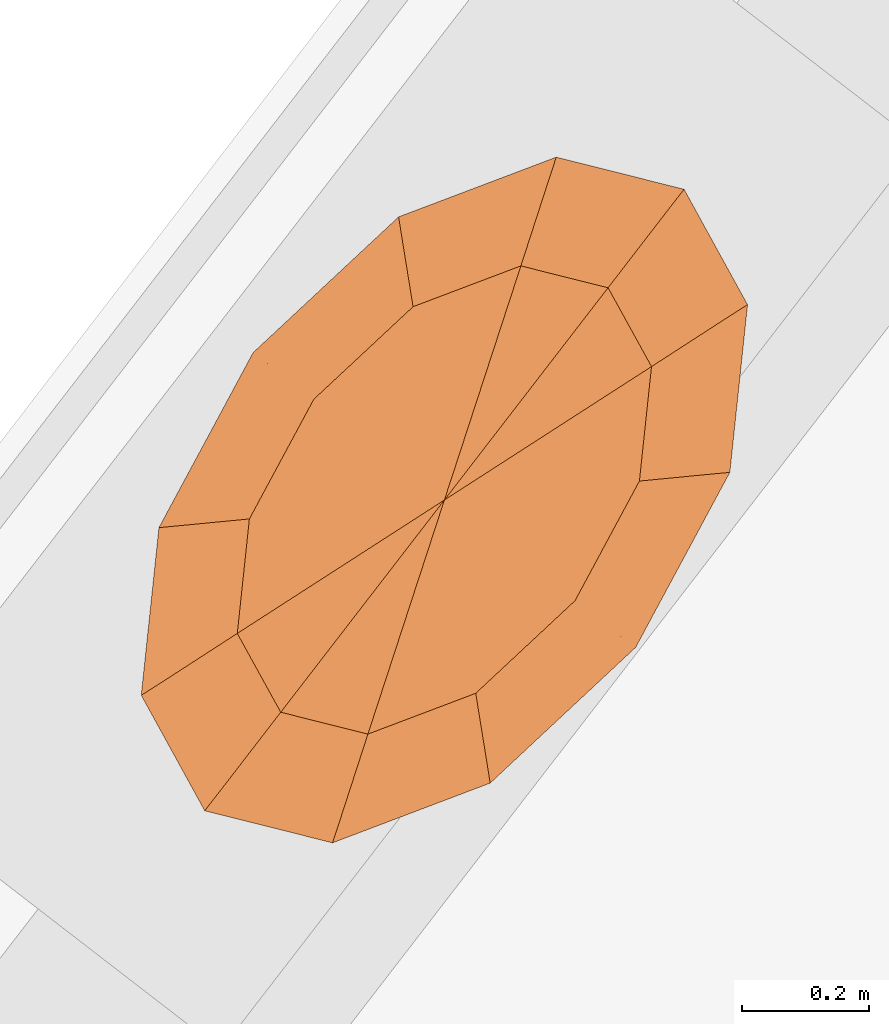
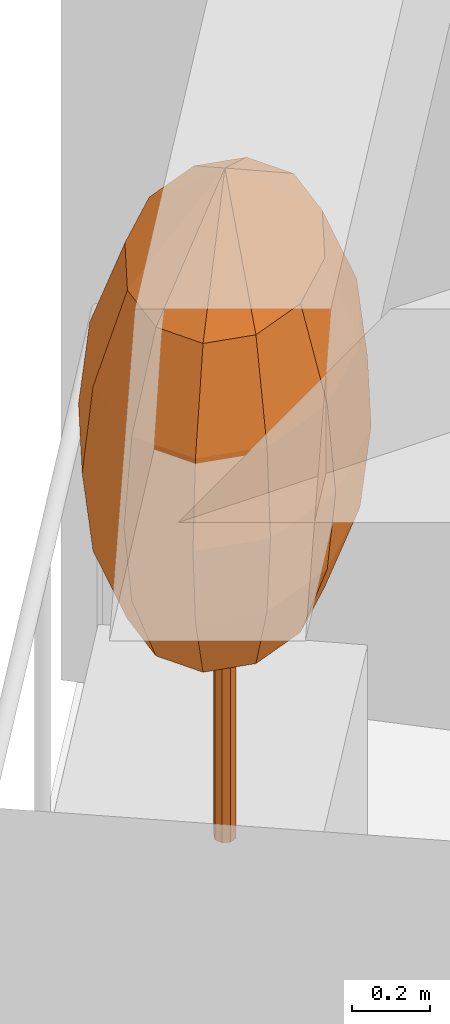
# One storey, part 13 of 13: 1 geographic element.
"""IFC4 building model written with IfcOpenShell, lengths in metres."""

import ifcopenshell
import ifcopenshell.guid

model = None  # the IFC model being written
_history = None  # IfcOwnerHistory: only IFC2X3 demands one
_inside = {}  # id of a spatial element -> (the spatial element, [elements in it])
_under = {}  # id of a project, library or spatial element -> (it, [spatial elements below it])
_declared = {}  # id of a project -> (the project, [libraries it declares])
_typed = {}  # id of a type object -> (the type object, [elements of that type])
_made_of = {}  # id of a material, layer set ... -> (it, [elements and type objects made of it])


def new_model(schema):
    """Start an empty IFC model of exactly this schema.

    Asked for "IFC4X3", IfcOpenShell would pick the latest addendum, in which some entities
    have other attributes; the version numbers below select the first issue.
    IFC2X3 requires an IfcOwnerHistory on every rooted entity: one is made here for all.
    """
    global model, _history
    if schema == "IFC4X3":
        model = ifcopenshell.file(schema_version=(4, 3, 0, 0))
    else:
        model = ifcopenshell.file(schema=schema)
    _inside.clear()
    _under.clear()
    _declared.clear()
    _typed.clear()
    _made_of.clear()
    _history = None
    if model.schema == "IFC2X3":
        org = make("IfcOrganization", Name="unknown")
        user = make(
            "IfcPersonAndOrganization",
            ThePerson=make("IfcPerson", FamilyName="unknown"),
            TheOrganization=org,
        )
        app = make(
            "IfcApplication",
            ApplicationDeveloper=org,
            Version="unknown",
            ApplicationFullName="unknown",
            ApplicationIdentifier="unknown",
        )
        _history = make(
            "IfcOwnerHistory",
            OwningUser=user,
            OwningApplication=app,
            ChangeAction="ADDED",
            CreationDate=0,
        )
    return model


def make(cls, **values):
    """One entity of the class cls with the attributes given. An attribute that is None is left unset."""
    return model.create_entity(
        cls, **{name: value for name, value in values.items() if value is not None}
    )


def rooted(cls, **values):
    """An entity with a GlobalId (a new one), such as an element, a storey or a relation."""
    return make(cls, GlobalId=ifcopenshell.guid.new(), OwnerHistory=_history, **values)


def si_unit(unit_type, name, prefix=None):
    """IfcSIUnit, for example si_unit("LENGTHUNIT", "METRE", prefix="MILLI")."""
    return make("IfcSIUnit", UnitType=unit_type, Prefix=prefix, Name=name)


def assignment(units):
    """IfcUnitAssignment: the units of a project."""
    return None if units is None else make("IfcUnitAssignment", Units=units)


def point(xyz):
    """IfcCartesianPoint."""
    return None if xyz is None else make("IfcCartesianPoint", Coordinates=xyz)


def direction(xyz):
    """IfcDirection."""
    return None if xyz is None else make("IfcDirection", DirectionRatios=xyz)


def frame(location, z_axis=None, x_axis=None):
    """IfcAxis2Placement3D, a coordinate frame: its origin and axes. An axis left out is left unset."""
    return make(
        "IfcAxis2Placement3D",
        Location=point(location),
        Axis=direction(z_axis),
        RefDirection=direction(x_axis),
    )


def origin():
    """The frame at (0, 0, 0) with its axes left unset."""
    return frame((0.0, 0.0, 0.0))


def place(relative_to, where):
    """IfcLocalPlacement: puts the frame where relative to a parent placement (None: the world)."""
    return make(
        "IfcLocalPlacement", PlacementRelTo=relative_to, RelativePlacement=where
    )


def context(
    kind, dimensions, precision=None, world=None, true_north=None, identifier=None
):
    """IfcGeometricRepresentationContext, for example the 3D "Model" context."""
    return make(
        "IfcGeometricRepresentationContext",
        ContextIdentifier=identifier,
        ContextType=kind,
        CoordinateSpaceDimension=dimensions,
        Precision=precision,
        WorldCoordinateSystem=world,
        TrueNorth=true_north,
    )


def subcontext(parent, identifier, kind, view, scale=None):
    """IfcGeometricRepresentationSubContext, for example "Body" below "Model"."""
    return make(
        "IfcGeometricRepresentationSubContext",
        ContextIdentifier=identifier,
        ContextType=kind,
        ParentContext=parent,
        TargetScale=scale,
        TargetView=view,
    )


def project(units=None, contexts=None):
    """IfcProject with its units and contexts."""
    return rooted(
        "IfcProject",
        Name="project",
        RepresentationContexts=contexts,
        UnitsInContext=assignment(units),
    )


def spatial(cls, under=None, at=None, **own):
    """A site, building, storey or space (cls), placed at a placement, below another one or the project."""
    s = rooted(cls, ObjectPlacement=at, **own)
    if under is not None:
        _under.setdefault(under.id(), (under, []))[1].append(s)
    return s


def faces_of(points, faces, orient=None, outer=None):
    """IfcFace entities. A face is a list of loops; a loop is a list of indices into points, from 0.

    orient and outer hold one flag for each loop. By default every Orientation is true, the
    first loop of a face is its IfcFaceOuterBound and the others are IfcFaceBound.
    """
    made = []
    for i, loops in enumerate(faces):
        bounds = []
        for j, loop in enumerate(loops):
            is_outer = j == 0 if outer is None else outer[i][j]
            bounds.append(
                make(
                    "IfcFaceOuterBound" if is_outer else "IfcFaceBound",
                    Bound=make("IfcPolyLoop", Polygon=[points[k] for k in loop]),
                    Orientation=True if orient is None else orient[i][j],
                )
            )
        made.append(make("IfcFace", Bounds=bounds))
    return made


def faceted_brep(points, faces, orient=None, outer=None, voids=None):
    """IfcFacetedBrep: a solid bounded by flat faces; with voids (closed shells), ...WithVoids."""
    shared = [point(p) for p in points]
    hull = make("IfcClosedShell", CfsFaces=faces_of(shared, faces, orient, outer))
    if voids is None:
        return make("IfcFacetedBrep", Outer=hull)
    return make(
        "IfcFacetedBrepWithVoids",
        Outer=hull,
        Voids=[
            make(cls, CfsFaces=faces_of(shared, fs, o, b)) for cls, fs, o, b in voids
        ],
    )


def shape(context_of_items, identifier, shape_type, items):
    """IfcShapeRepresentation: the items that make up one representation, for example the "Body"."""
    return make(
        "IfcShapeRepresentation",
        ContextOfItems=context_of_items,
        RepresentationIdentifier=identifier,
        RepresentationType=shape_type,
        Items=items,
    )


def material(Name=None, Category=None):
    """IfcMaterial."""
    return make("IfcMaterial", Name=Name, Category=Category)


def constituent(of_material, Name=None, Category=None, fraction=None):
    """IfcMaterialConstituent: one of the materials an element consists of."""
    return make(
        "IfcMaterialConstituent",
        Name=Name,
        Material=of_material,
        Fraction=fraction,
        Category=Category,
    )


def constituent_set(constituents=None, Name=None):
    """IfcMaterialConstituentSet."""
    return make(
        "IfcMaterialConstituentSet", Name=Name, MaterialConstituents=constituents
    )


def made_of(thing, what):
    """Note that an element or type object is made of a material, layer set ...; save() writes the relation."""
    if what is not None:
        _made_of.setdefault(what.id(), (what, []))[1].append(thing)
    return thing


def type_object(cls, material=None, **own):
    """A type object (cls), such as IfcWallType, which elements share."""
    return made_of(rooted(cls, **own), material)


def element(
    cls,
    number,
    at=None,
    inside=None,
    cuts=None,
    type_object=None,
    material=None,
    context=None,
    identifier="Body",
    shape_type=None,
    held_by="IfcProductDefinitionShape",
    body=None,
    shapes=None,
    **own,
):
    """One element of the class cls, such as IfcWall. Its Tag is "e" and its number.

    at: its placement. inside: the storey or other place that contains it. cuts: it is an
    opening in that element (IfcRelVoidsElement). A single representation is given by context,
    identifier, shape_type and body (its items); several are given by shapes. held_by: the class
    of the entity that holds the representations. save() writes the other relations.
    """
    e = rooted(cls, Tag="e%d" % number, ObjectPlacement=at, **own)
    if body is not None:
        shapes = [shape(context, identifier, shape_type, body)]
    if shapes is not None:
        e.Representation = make(held_by, Representations=shapes)
    if inside is not None:
        _inside.setdefault(inside.id(), (inside, []))[1].append(e)
    if cuts is not None:
        rooted(
            "IfcRelVoidsElement", RelatingBuildingElement=cuts, RelatedOpeningElement=e
        )
    if type_object is not None:
        _typed.setdefault(type_object.id(), (type_object, []))[1].append(e)
    return made_of(e, material)


def aggregate(whole, parts):
    """IfcRelAggregates: a whole, such as a stair, and the parts it consists of."""
    return rooted("IfcRelAggregates", RelatingObject=whole, RelatedObjects=parts)


def save(model, path):
    """Write the relations noted so far, then the file.

    IfcRelAggregates (storeys below a building ...), IfcRelContainedInSpatialStructure (elements
    in a storey), IfcRelDefinesByType, IfcRelAssociatesMaterial and IfcRelDeclares: one each for
    every whole, place, type object, material and project.
    """
    for whole, parts in _under.values():
        aggregate(whole, parts)
    for where, things in _inside.values():
        rooted(
            "IfcRelContainedInSpatialStructure",
            RelatedElements=things,
            RelatingStructure=where,
        )
    for kind, things in _typed.values():
        rooted("IfcRelDefinesByType", RelatedObjects=things, RelatingType=kind)
    for what, things in _made_of.values():
        rooted("IfcRelAssociatesMaterial", RelatedObjects=things, RelatingMaterial=what)
    for by, libraries in _declared.values():
        rooted("IfcRelDeclares", RelatingContext=by, RelatedDefinitions=libraries)
    model.write(path)


model = new_model("IFC4")

# Units and contexts
model_context = context("Model", 3, precision=1e-05, world=origin(), true_north=direction((0.0, 1.0)))
body_context = subcontext(model_context, "Body", "Model", "MODEL_VIEW")
ifc_project = project(units=[si_unit("LENGTHUNIT", "METRE"), si_unit("AREAUNIT", "SQUARE_METRE"), si_unit("VOLUMEUNIT", "CUBIC_METRE"), si_unit("PLANEANGLEUNIT", "RADIAN"), si_unit("MASSUNIT", "GRAM", prefix="KILO")], contexts=[model_context])

# Site, building, storey
site_placement = place(None, origin())
site = spatial("IfcSite", under=ifc_project, at=site_placement, CompositionType="ELEMENT")
building_placement = place(site_placement, origin())
building = spatial("IfcBuilding", under=site, at=building_placement, Name="Taillehof Tower", CompositionType="ELEMENT")
storey_placement = place(building_placement, frame((0.0, 0.0, 115.300048828125)))
storey = spatial("IfcBuildingStorey", under=building, at=storey_placement, Name="L32", CompositionType="ELEMENT", Elevation=115.300048828125)

# Geographic element
ifc_material_1 = material(Name="Tree bark", Category="timber")
ifc_constituent_1 = constituent(ifc_material_1, Name="Trunk", Category="timber")
ifc_material_2 = material(Name="Tree foliage")
ifc_constituent_2 = constituent(ifc_material_2, Name="Crown")
ifc_constituent_set = constituent_set(constituents=[ifc_constituent_1, ifc_constituent_2], Name="Tree TR1 Columnar hornbeam")
geographic_element_type = type_object("IfcGeographicElementType", Name="Tree TR1 Columnar hornbeam", PredefinedType="USERDEFINED", material=ifc_constituent_set)
geographic_element_placement = place(storey_placement, frame((-20.56689453125, 12.99609375, 0.75)))
element("IfcGeographicElement", 1, at=geographic_element_placement, inside=storey, type_object=geographic_element_type, Name="Tree TR1 Columnar hornbeam", ObjectType="TREE", PredefinedType="USERDEFINED", context=body_context, shape_type="Brep", body=[
    faceted_brep([(0.030029296875, 0.0, 0.0), (0.021240234375, 0.021240234375, 0.0), (0.021240234375, 0.021240234375, 1.092529296875), (0.030029296875, 0.0, 1.092529296875), (0.0, 0.030029296875, 0.0), (0.0, 0.030029296875, 1.092529296875), (-0.021240234375, 0.021240234375, 0.0), (-0.021240234375, 0.021240234375, 1.092529296875), (-0.030029296875, 0.0, 0.0), (-0.030029296875, 0.0, 1.092529296875), (-0.021240234375, -0.021240234375, 0.0), (-0.021240234375, -0.021240234375, 1.092529296875), (0.0, -0.030029296875, 0.0), (0.0, -0.030029296875, 1.092529296875), (0.021240234375, -0.021240234375, 0.0), (0.021240234375, -0.021240234375, 1.092529296875)], [[[0, 1, 2, 3]], [[1, 4, 5, 2]], [[4, 6, 7, 5]], [[6, 8, 9, 7]], [[8, 10, 11, 9]], [[10, 12, 13, 11]], [[12, 14, 15, 13]], [[14, 0, 3, 15]], [[14, 12, 10, 8, 6, 4, 1, 0]], [[3, 2, 5, 7, 9, 11, 13, 15]]]),
    faceted_brep([(0.0, 0.0, 0.550048828125), (-0.120361328125, -0.368408203125, 0.808349609375), (-0.257568359375, -0.333984375, 0.808349609375), (0.04931640625, -0.30419921875, 0.808349609375), (0.20556640625, -0.158447265625, 0.808349609375), (0.306884765625, 0.02978515625, 0.808349609375), (0.325927734375, 0.2099609375, 0.808349609375), (0.257568359375, 0.333984375, 0.808349609375), (0.120361328125, 0.368408203125, 0.808349609375), (-0.04931640625, 0.30419921875, 0.808349609375), (-0.20556640625, 0.158447265625, 0.808349609375), (-0.306884765625, -0.02978515625, 0.808349609375), (-0.325927734375, -0.2099609375, 0.808349609375), (-0.16259765625, -0.49853515625, 1.066650390625), (-0.348388671875, -0.451904296875, 1.066650390625), (0.066650390625, -0.41162109375, 1.066650390625), (0.278076171875, -0.21435546875, 1.066650390625), (0.4150390625, 0.040283203125, 1.066650390625), (0.440673828125, 0.2841796875, 1.066650390625), (0.348388671875, 0.451904296875, 1.066650390625), (0.16259765625, 0.49853515625, 1.066650390625), (-0.066650390625, 0.41162109375, 1.066650390625), (-0.278076171875, 0.21435546875, 1.066650390625), (-0.4150390625, -0.040283203125, 1.066650390625), (-0.440673828125, -0.2841796875, 1.066650390625), (-0.176025390625, -0.53955078125, 1.324951171875), (-0.377197265625, -0.489013671875, 1.324951171875), (0.072021484375, -0.445556640625, 1.324951171875), (0.301025390625, -0.23193359375, 1.324951171875), (0.44921875, 0.04345703125, 1.324951171875), (0.47705078125, 0.307373046875, 1.324951171875), (0.377197265625, 0.489013671875, 1.324951171875), (0.176025390625, 0.53955078125, 1.324951171875), (-0.072021484375, 0.445556640625, 1.324951171875), (-0.301025390625, 0.23193359375, 1.324951171875), (-0.44921875, -0.04345703125, 1.324951171875), (-0.47705078125, -0.307373046875, 1.324951171875), (-0.16259765625, -0.49853515625, 1.583251953125), (-0.348388671875, -0.451904296875, 1.583251953125), (0.066650390625, -0.41162109375, 1.583251953125), (0.278076171875, -0.21435546875, 1.583251953125), (0.4150390625, 0.040283203125, 1.583251953125), (0.440673828125, 0.2841796875, 1.583251953125), (0.348388671875, 0.451904296875, 1.583251953125), (0.16259765625, 0.49853515625, 1.583251953125), (-0.066650390625, 0.41162109375, 1.583251953125), (-0.278076171875, 0.21435546875, 1.583251953125), (-0.4150390625, -0.040283203125, 1.583251953125), (-0.440673828125, -0.2841796875, 1.583251953125), (-0.120361328125, -0.368408203125, 1.841552734375), (-0.257568359375, -0.333984375, 1.841552734375), (0.04931640625, -0.30419921875, 1.841552734375), (0.20556640625, -0.158447265625, 1.841552734375), (0.306884765625, 0.02978515625, 1.841552734375), (0.325927734375, 0.2099609375, 1.841552734375), (0.257568359375, 0.333984375, 1.841552734375), (0.120361328125, 0.368408203125, 1.841552734375), (-0.04931640625, 0.30419921875, 1.841552734375), (-0.20556640625, 0.158447265625, 1.841552734375), (-0.306884765625, -0.02978515625, 1.841552734375), (-0.325927734375, -0.2099609375, 1.841552734375), (0.0, 0.0, 2.10009765625)], [[[0, 1, 2]], [[0, 3, 1]], [[0, 4, 3]], [[0, 5, 4]], [[0, 6, 5]], [[0, 7, 6]], [[0, 8, 7]], [[0, 9, 8]], [[0, 10, 9]], [[0, 11, 10]], [[0, 12, 11]], [[0, 2, 12]], [[2, 1, 13, 14]], [[1, 3, 15, 13]], [[3, 4, 16, 15]], [[4, 5, 17, 16]], [[5, 6, 18, 17]], [[6, 7, 19, 18]], [[7, 8, 20, 19]], [[8, 9, 21, 20]], [[9, 10, 22, 21]], [[10, 11, 23, 22]], [[11, 12, 24, 23]], [[12, 2, 14, 24]], [[14, 13, 25, 26]], [[13, 15, 27, 25]], [[15, 16, 28, 27]], [[16, 17, 29, 28]], [[17, 18, 30, 29]], [[18, 19, 31, 30]], [[19, 20, 32, 31]], [[20, 21, 33, 32]], [[21, 22, 34, 33]], [[22, 23, 35, 34]], [[23, 24, 36, 35]], [[24, 14, 26, 36]], [[26, 25, 37, 38]], [[25, 27, 39, 37]], [[27, 28, 40, 39]], [[28, 29, 41, 40]], [[29, 30, 42, 41]], [[30, 31, 43, 42]], [[31, 32, 44, 43]], [[32, 33, 45, 44]], [[33, 34, 46, 45]], [[34, 35, 47, 46]], [[35, 36, 48, 47]], [[36, 26, 38, 48]], [[38, 37, 49, 50]], [[37, 39, 51, 49]], [[39, 40, 52, 51]], [[40, 41, 53, 52]], [[41, 42, 54, 53]], [[42, 43, 55, 54]], [[43, 44, 56, 55]], [[44, 45, 57, 56]], [[45, 46, 58, 57]], [[46, 47, 59, 58]], [[47, 48, 60, 59]], [[48, 38, 50, 60]], [[50, 49, 61]], [[49, 51, 61]], [[51, 52, 61]], [[52, 53, 61]], [[53, 54, 61]], [[54, 55, 61]], [[55, 56, 61]], [[56, 57, 61]], [[57, 58, 61]], [[58, 59, 61]], [[59, 60, 61]], [[60, 50, 61]]]),
])

save(model, "model.ifc")
